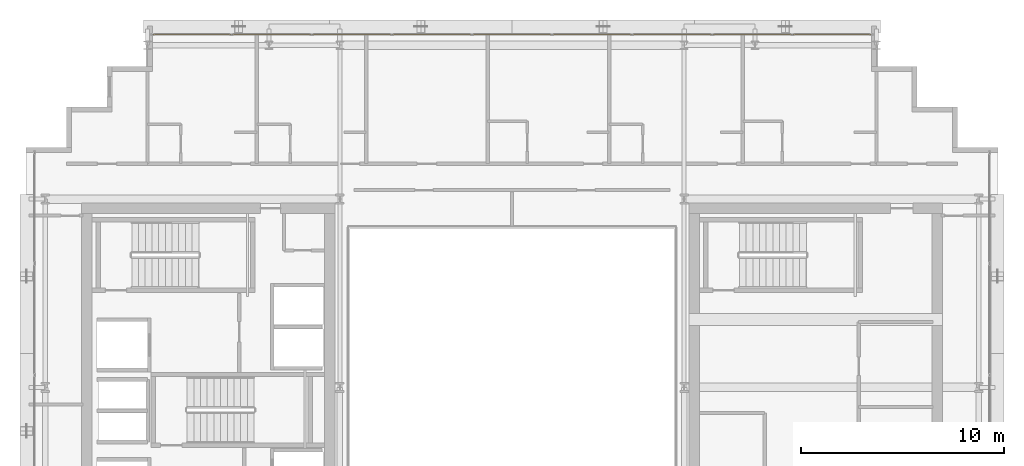
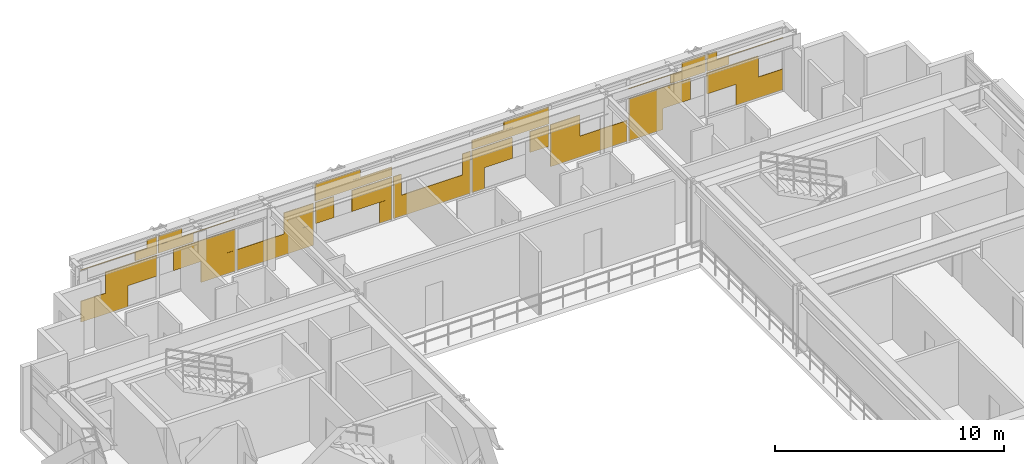
# One storey, part 31 of 31: 1 covering.
"""IFC4 building model written with IfcOpenShell, lengths in metres."""

import ifcopenshell
import ifcopenshell.guid

model = None  # the IFC model being written
_history = None  # IfcOwnerHistory: only IFC2X3 demands one
_inside = {}  # id of a spatial element -> (the spatial element, [elements in it])
_under = {}  # id of a project, library or spatial element -> (it, [spatial elements below it])
_declared = {}  # id of a project -> (the project, [libraries it declares])
_typed = {}  # id of a type object -> (the type object, [elements of that type])
_made_of = {}  # id of a material, layer set ... -> (it, [elements and type objects made of it])


def new_model(schema):
    """Start an empty IFC model of exactly this schema.

    Asked for "IFC4X3", IfcOpenShell would pick the latest addendum, in which some entities
    have other attributes; the version numbers below select the first issue.
    IFC2X3 requires an IfcOwnerHistory on every rooted entity: one is made here for all.
    """
    global model, _history
    if schema == "IFC4X3":
        model = ifcopenshell.file(schema_version=(4, 3, 0, 0))
    else:
        model = ifcopenshell.file(schema=schema)
    _inside.clear()
    _under.clear()
    _declared.clear()
    _typed.clear()
    _made_of.clear()
    _history = None
    if model.schema == "IFC2X3":
        org = make("IfcOrganization", Name="unknown")
        user = make(
            "IfcPersonAndOrganization",
            ThePerson=make("IfcPerson", FamilyName="unknown"),
            TheOrganization=org,
        )
        app = make(
            "IfcApplication",
            ApplicationDeveloper=org,
            Version="unknown",
            ApplicationFullName="unknown",
            ApplicationIdentifier="unknown",
        )
        _history = make(
            "IfcOwnerHistory",
            OwningUser=user,
            OwningApplication=app,
            ChangeAction="ADDED",
            CreationDate=0,
        )
    return model


def make(cls, **values):
    """One entity of the class cls with the attributes given. An attribute that is None is left unset."""
    return model.create_entity(
        cls, **{name: value for name, value in values.items() if value is not None}
    )


def rooted(cls, **values):
    """An entity with a GlobalId (a new one), such as an element, a storey or a relation."""
    return make(cls, GlobalId=ifcopenshell.guid.new(), OwnerHistory=_history, **values)


def si_unit(unit_type, name, prefix=None):
    """IfcSIUnit, for example si_unit("LENGTHUNIT", "METRE", prefix="MILLI")."""
    return make("IfcSIUnit", UnitType=unit_type, Prefix=prefix, Name=name)


def assignment(units):
    """IfcUnitAssignment: the units of a project."""
    return None if units is None else make("IfcUnitAssignment", Units=units)


def point(xyz):
    """IfcCartesianPoint."""
    return None if xyz is None else make("IfcCartesianPoint", Coordinates=xyz)


def direction(xyz):
    """IfcDirection."""
    return None if xyz is None else make("IfcDirection", DirectionRatios=xyz)


def frame(location, z_axis=None, x_axis=None):
    """IfcAxis2Placement3D, a coordinate frame: its origin and axes. An axis left out is left unset."""
    return make(
        "IfcAxis2Placement3D",
        Location=point(location),
        Axis=direction(z_axis),
        RefDirection=direction(x_axis),
    )


def frame_2d(location, x_axis=None):
    """IfcAxis2Placement2D, a coordinate frame in the plane: its origin and x axis."""
    return make(
        "IfcAxis2Placement2D", Location=point(location), RefDirection=direction(x_axis)
    )


def origin():
    """The frame at (0, 0, 0) with its axes left unset."""
    return frame((0.0, 0.0, 0.0))


def origin_2d():
    """The frame at (0, 0) in the plane with its x axis left unset."""
    return frame_2d((0.0, 0.0))


def place(relative_to, where):
    """IfcLocalPlacement: puts the frame where relative to a parent placement (None: the world)."""
    return make(
        "IfcLocalPlacement", PlacementRelTo=relative_to, RelativePlacement=where
    )


def context(
    kind, dimensions, precision=None, world=None, true_north=None, identifier=None
):
    """IfcGeometricRepresentationContext, for example the 3D "Model" context."""
    return make(
        "IfcGeometricRepresentationContext",
        ContextIdentifier=identifier,
        ContextType=kind,
        CoordinateSpaceDimension=dimensions,
        Precision=precision,
        WorldCoordinateSystem=world,
        TrueNorth=true_north,
    )


def subcontext(parent, identifier, kind, view, scale=None):
    """IfcGeometricRepresentationSubContext, for example "Body" below "Model"."""
    return make(
        "IfcGeometricRepresentationSubContext",
        ContextIdentifier=identifier,
        ContextType=kind,
        ParentContext=parent,
        TargetScale=scale,
        TargetView=view,
    )


def project(units=None, contexts=None):
    """IfcProject with its units and contexts."""
    return rooted(
        "IfcProject",
        Name="project",
        RepresentationContexts=contexts,
        UnitsInContext=assignment(units),
    )


def spatial(cls, under=None, at=None, **own):
    """A site, building, storey or space (cls), placed at a placement, below another one or the project."""
    s = rooted(cls, ObjectPlacement=at, **own)
    if under is not None:
        _under.setdefault(under.id(), (under, []))[1].append(s)
    return s


def profile(cls, at=None, kind="AREA", **sizes):
    """A parametric profile (cls). Its sizes go by their IFC names, for example OverallWidth=200.0."""
    return make(cls, ProfileType=kind, Position=at, **sizes)


def rectangle(**sizes):
    """IfcRectangleProfileDef."""
    return profile("IfcRectangleProfileDef", **sizes)


def extrude(swept, where, along, depth):
    """IfcExtrudedAreaSolid: the profile swept, set in the frame where, extruded along a direction by depth."""
    return make(
        "IfcExtrudedAreaSolid",
        SweptArea=swept,
        Position=where,
        ExtrudedDirection=direction(along),
        Depth=depth,
    )


def shape(context_of_items, identifier, shape_type, items):
    """IfcShapeRepresentation: the items that make up one representation, for example the "Body"."""
    return make(
        "IfcShapeRepresentation",
        ContextOfItems=context_of_items,
        RepresentationIdentifier=identifier,
        RepresentationType=shape_type,
        Items=items,
    )


def material(Name=None, Category=None):
    """IfcMaterial."""
    return make("IfcMaterial", Name=Name, Category=Category)


def layer(
    of_material, thickness, ventilated=None, Name=None, Category=None, Priority=None
):
    """IfcMaterialLayer: one layer of a wall or slab, of a material (None: an air gap)."""
    return make(
        "IfcMaterialLayer",
        Material=of_material,
        LayerThickness=thickness,
        IsVentilated=ventilated,
        Name=Name,
        Category=Category,
        Priority=Priority,
    )


def layer_set(layers, Name=None):
    """IfcMaterialLayerSet."""
    return make("IfcMaterialLayerSet", MaterialLayers=layers, LayerSetName=Name)


def made_of(thing, what):
    """Note that an element or type object is made of a material, layer set ...; save() writes the relation."""
    if what is not None:
        _made_of.setdefault(what.id(), (what, []))[1].append(thing)
    return thing


def type_object(cls, material=None, **own):
    """A type object (cls), such as IfcWallType, which elements share."""
    return made_of(rooted(cls, **own), material)


def element(
    cls,
    number,
    at=None,
    inside=None,
    cuts=None,
    type_object=None,
    material=None,
    context=None,
    identifier="Body",
    shape_type=None,
    held_by="IfcProductDefinitionShape",
    body=None,
    shapes=None,
    **own,
):
    """One element of the class cls, such as IfcWall. Its Tag is "e" and its number.

    at: its placement. inside: the storey or other place that contains it. cuts: it is an
    opening in that element (IfcRelVoidsElement). A single representation is given by context,
    identifier, shape_type and body (its items); several are given by shapes. held_by: the class
    of the entity that holds the representations. save() writes the other relations.
    """
    e = rooted(cls, Tag="e%d" % number, ObjectPlacement=at, **own)
    if body is not None:
        shapes = [shape(context, identifier, shape_type, body)]
    if shapes is not None:
        e.Representation = make(held_by, Representations=shapes)
    if inside is not None:
        _inside.setdefault(inside.id(), (inside, []))[1].append(e)
    if cuts is not None:
        rooted(
            "IfcRelVoidsElement", RelatingBuildingElement=cuts, RelatedOpeningElement=e
        )
    if type_object is not None:
        _typed.setdefault(type_object.id(), (type_object, []))[1].append(e)
    return made_of(e, material)


def aggregate(whole, parts):
    """IfcRelAggregates: a whole, such as a stair, and the parts it consists of."""
    return rooted("IfcRelAggregates", RelatingObject=whole, RelatedObjects=parts)


def save(model, path):
    """Write the relations noted so far, then the file.

    IfcRelAggregates (storeys below a building ...), IfcRelContainedInSpatialStructure (elements
    in a storey), IfcRelDefinesByType, IfcRelAssociatesMaterial and IfcRelDeclares: one each for
    every whole, place, type object, material and project.
    """
    for whole, parts in _under.values():
        aggregate(whole, parts)
    for where, things in _inside.values():
        rooted(
            "IfcRelContainedInSpatialStructure",
            RelatedElements=things,
            RelatingStructure=where,
        )
    for kind, things in _typed.values():
        rooted("IfcRelDefinesByType", RelatedObjects=things, RelatingType=kind)
    for what, things in _made_of.values():
        rooted("IfcRelAssociatesMaterial", RelatedObjects=things, RelatingMaterial=what)
    for by, libraries in _declared.values():
        rooted("IfcRelDeclares", RelatingContext=by, RelatedDefinitions=libraries)
    model.write(path)


model = new_model("IFC4")

# Units and contexts
model_context = context("Model", 3, precision=1e-05, world=origin(), true_north=direction((0.0, 1.0)))
body_context = subcontext(model_context, "Body", "Model", "MODEL_VIEW")
ifc_project = project(units=[si_unit("LENGTHUNIT", "METRE"), si_unit("AREAUNIT", "SQUARE_METRE"), si_unit("VOLUMEUNIT", "CUBIC_METRE"), si_unit("PLANEANGLEUNIT", "RADIAN"), si_unit("MASSUNIT", "GRAM", prefix="KILO")], contexts=[model_context])

# Site, building, storey
site_placement = place(None, origin())
site = spatial("IfcSite", under=ifc_project, at=site_placement, CompositionType="ELEMENT")
building_placement = place(site_placement, origin())
building = spatial("IfcBuilding", under=site, at=building_placement, Name="Ocotamira Hotel", CompositionType="ELEMENT")
storey_placement = place(building_placement, frame((0.0, 0.0, 210.0)))
storey = spatial("IfcBuildingStorey", under=building, at=storey_placement, Name="L53", CompositionType="ELEMENT", Elevation=210.0)

# Covering
ifc_material = material(Name="Insulated pale-metal aluminium spandrel panel", Category="aluminium")
ifc_layer = layer(ifc_material, 0.044921875)
ifc_layer_set = layer_set([ifc_layer], Name="Insulated pale-metal aluminium spandrel panel")
covering_type = type_object("IfcCoveringType", Name="COV-INFILL-45", PredefinedType="CLADDING", material=ifc_layer_set)
covering_placement = place(storey_placement, origin())
element("IfcCovering", 1, at=covering_placement, inside=storey, type_object=covering_type, Name="L53 Curtain Wall Infill CW-4 CW-L53-N", PredefinedType="CLADDING", context=body_context, shape_type="SweptSolid", body=[
    extrude(rectangle(XDim=2.37158203125, YDim=0.044921875, at=origin_2d()), frame((15.46630859375, 45.580078125, 0.07568359375), z_axis=(0.0, 0.0, 1.0), x_axis=(1.0, 0.0, 0.0)), (0.0, 0.0, 1.0), 1.117919921875),
    extrude(rectangle(XDim=2.58251953125, YDim=0.044921875, at=origin_2d()), frame((16.82373046875, 45.580078125, 1.1943359375), z_axis=(0.0, 0.0, 1.0), x_axis=(1.0, 0.0, 0.0)), (0.0, 0.0, 1.0), 1.117919921875),
    extrude(rectangle(XDim=3.834716796875, YDim=0.044921875, at=origin_2d()), frame((16.19775390625, 45.580078125, 2.83154296875), z_axis=(0.0, 0.0, 1.0), x_axis=(1.0, 0.0, 0.0)), (0.0, 0.0, 1.0), 0.0302734375),
    extrude(rectangle(XDim=1.090576171875, YDim=0.044921875, at=origin_2d()), frame((17.56982421875, 45.580078125, 2.38818359375), z_axis=(0.0, 0.0, 1.0), x_axis=(1.0, 0.0, 0.0)), (0.0, 0.0, 1.0), 0.442626953125),
    extrude(rectangle(XDim=0.496826171875, YDim=0.044921875, at=origin_2d()), frame((17.86669921875, 45.580078125, 2.86279296875), z_axis=(0.0, 0.0, 1.0), x_axis=(1.0, 0.0, 0.0)), (0.0, 0.0, 1.0), 0.431640625),
    extrude(rectangle(XDim=3.12109375, YDim=0.044921875, at=origin_2d()), frame((20.510009765625, 45.580078125, 1.1943359375), z_axis=(0.0, 0.0, 1.0), x_axis=(1.0, 0.0, 0.0)), (0.0, 0.0, 1.0), 1.117919921875),
    extrude(rectangle(XDim=1.72265625, YDim=0.044921875, at=origin_2d()), frame((21.209228515625, 45.580078125, 0.07568359375), z_axis=(0.0, 0.0, 1.0), x_axis=(1.0, 0.0, 0.0)), (0.0, 0.0, 1.0), 1.117919921875),
    extrude(rectangle(XDim=1.779296875, YDim=0.044921875, at=origin_2d()), frame((19.085693359375, 45.580078125, 2.38818359375), z_axis=(0.0, 0.0, 1.0), x_axis=(1.0, 0.0, 0.0)), (0.0, 0.0, 1.0), 0.442626953125),
    extrude(rectangle(XDim=3.87451171875, YDim=0.044921875, at=origin_2d()), frame((20.13330078125, 45.580078125, 2.83154296875), z_axis=(0.0, 0.0, 1.0), x_axis=(1.0, 0.0, 0.0)), (0.0, 0.0, 1.0), 0.0302734375),
    extrude(rectangle(XDim=1.185791015625, YDim=0.044921875, at=origin_2d()), frame((18.7890625, 45.580078125, 2.86279296875), z_axis=(0.0, 0.0, 1.0), x_axis=(1.0, 0.0, 0.0)), (0.0, 0.0, 1.0), 0.431640625),
    extrude(rectangle(XDim=3.87451171875, YDim=0.044921875, at=origin_2d()), frame((24.0888671875, 45.580078125, 0.07568359375), z_axis=(0.0, 0.0, 1.0), x_axis=(1.0, 0.0, 0.0)), (0.0, 0.0, 1.0), 1.117919921875),
    extrude(rectangle(XDim=1.493896484375, YDim=0.044921875, at=origin_2d()), frame((25.279296875, 45.580078125, 1.1943359375), z_axis=(0.0, 0.0, 1.0), x_axis=(1.0, 0.0, 0.0)), (0.0, 0.0, 1.0), 1.117919921875),
    extrude(rectangle(XDim=0.943115234375, YDim=0.044921875, at=origin_2d()), frame((26.578857421875, 45.580078125, 1.1943359375), z_axis=(0.0, 0.0, 1.0), x_axis=(1.0, 0.0, 0.0)), (0.0, 0.0, 1.0), 1.117919921875),
    extrude(rectangle(XDim=2.031982421875, YDim=0.044921875, at=origin_2d()), frame((28.9658203125, 45.580078125, 1.1943359375), z_axis=(0.0, 0.0, 1.0), x_axis=(1.0, 0.0, 0.0)), (0.0, 0.0, 1.0), 1.117919921875),
    extrude(rectangle(XDim=0.6337890625, YDim=0.044921875, at=origin_2d()), frame((29.664794921875, 45.580078125, 0.07568359375), z_axis=(0.0, 0.0, 1.0), x_axis=(1.0, 0.0, 0.0)), (0.0, 0.0, 1.0), 1.117919921875),
    extrude(rectangle(XDim=3.87451171875, YDim=0.044921875, at=origin_2d()), frame((28.04443359375, 45.580078125, 2.38818359375), z_axis=(0.0, 0.0, 1.0), x_axis=(1.0, 0.0, 0.0)), (0.0, 0.0, 1.0), 0.473876953125),
    extrude(rectangle(XDim=2.274658203125, YDim=0.044921875, at=origin_2d()), frame((27.244384765625, 45.580078125, 2.86279296875), z_axis=(0.0, 0.0, 1.0), x_axis=(1.0, 0.0, 0.0)), (0.0, 0.0, 1.0), 0.431640625),
    extrude(rectangle(XDim=3.87451171875, YDim=0.044921875, at=origin_2d()), frame((32.0, 45.580078125, 0.07568359375), z_axis=(0.0, 0.0, 1.0), x_axis=(1.0, 0.0, 0.0)), (0.0, 0.0, 1.0), 1.117919921875),
    extrude(rectangle(XDim=0.40478515625, YDim=0.044921875, at=origin_2d()), frame((30.26513671875, 45.580078125, 1.1943359375), z_axis=(0.0, 0.0, 1.0), x_axis=(1.0, 0.0, 0.0)), (0.0, 0.0, 1.0), 1.117919921875),
    extrude(rectangle(XDim=0.40478515625, YDim=0.044921875, at=origin_2d()), frame((33.73486328125, 45.580078125, 1.1943359375), z_axis=(0.0, 0.0, 1.0), x_axis=(1.0, 0.0, 0.0)), (0.0, 0.0, 1.0), 1.117919921875),
    extrude(rectangle(XDim=0.6337890625, YDim=0.044921875, at=origin_2d()), frame((34.335205078125, 45.580078125, 0.07568359375), z_axis=(0.0, 0.0, 1.0), x_axis=(1.0, 0.0, 0.0)), (0.0, 0.0, 1.0), 1.117919921875),
    extrude(rectangle(XDim=2.031982421875, YDim=0.044921875, at=origin_2d()), frame((35.0341796875, 45.580078125, 1.1943359375), z_axis=(0.0, 0.0, 1.0), x_axis=(1.0, 0.0, 0.0)), (0.0, 0.0, 1.0), 1.117919921875),
    extrude(rectangle(XDim=0.943115234375, YDim=0.044921875, at=origin_2d()), frame((37.421142578125, 45.580078125, 1.1943359375), z_axis=(0.0, 0.0, 1.0), x_axis=(1.0, 0.0, 0.0)), (0.0, 0.0, 1.0), 1.117919921875),
    extrude(rectangle(XDim=3.87451171875, YDim=0.044921875, at=origin_2d()), frame((35.95556640625, 45.580078125, 2.38818359375), z_axis=(0.0, 0.0, 1.0), x_axis=(1.0, 0.0, 0.0)), (0.0, 0.0, 1.0), 0.473876953125),
    extrude(rectangle(XDim=2.274658203125, YDim=0.044921875, at=origin_2d()), frame((36.755615234375, 45.580078125, 2.86279296875), z_axis=(0.0, 0.0, 1.0), x_axis=(1.0, 0.0, 0.0)), (0.0, 0.0, 1.0), 0.431640625),
    extrude(rectangle(XDim=3.87451171875, YDim=0.044921875, at=origin_2d()), frame((39.9111328125, 45.580078125, 0.07568359375), z_axis=(0.0, 0.0, 1.0), x_axis=(1.0, 0.0, 0.0)), (0.0, 0.0, 1.0), 1.117919921875),
    extrude(rectangle(XDim=1.493896484375, YDim=0.044921875, at=origin_2d()), frame((38.720703125, 45.580078125, 1.1943359375), z_axis=(0.0, 0.0, 1.0), x_axis=(1.0, 0.0, 0.0)), (0.0, 0.0, 1.0), 1.117919921875),
    extrude(rectangle(XDim=1.72265625, YDim=0.044921875, at=origin_2d()), frame((42.790771484375, 45.580078125, 0.07568359375), z_axis=(0.0, 0.0, 1.0), x_axis=(1.0, 0.0, 0.0)), (0.0, 0.0, 1.0), 1.117919921875),
    extrude(rectangle(XDim=3.12109375, YDim=0.044921875, at=origin_2d()), frame((43.489990234375, 45.580078125, 1.1943359375), z_axis=(0.0, 0.0, 1.0), x_axis=(1.0, 0.0, 0.0)), (0.0, 0.0, 1.0), 1.117919921875),
    extrude(rectangle(XDim=3.87451171875, YDim=0.044921875, at=origin_2d()), frame((43.86669921875, 45.580078125, 2.83154296875), z_axis=(0.0, 0.0, 1.0), x_axis=(1.0, 0.0, 0.0)), (0.0, 0.0, 1.0), 0.0302734375),
    extrude(rectangle(XDim=1.779296875, YDim=0.044921875, at=origin_2d()), frame((44.914306640625, 45.580078125, 2.38818359375), z_axis=(0.0, 0.0, 1.0), x_axis=(1.0, 0.0, 0.0)), (0.0, 0.0, 1.0), 0.442626953125),
    extrude(rectangle(XDim=1.185791015625, YDim=0.044921875, at=origin_2d()), frame((45.2109375, 45.580078125, 2.86279296875), z_axis=(0.0, 0.0, 1.0), x_axis=(1.0, 0.0, 0.0)), (0.0, 0.0, 1.0), 0.431640625),
    extrude(rectangle(XDim=2.58251953125, YDim=0.044921875, at=origin_2d()), frame((47.17626953125, 45.580078125, 1.1943359375), z_axis=(0.0, 0.0, 1.0), x_axis=(1.0, 0.0, 0.0)), (0.0, 0.0, 1.0), 1.117919921875),
    extrude(rectangle(XDim=2.37158203125, YDim=0.044921875, at=origin_2d()), frame((48.53369140625, 45.580078125, 0.07568359375), z_axis=(0.0, 0.0, 1.0), x_axis=(1.0, 0.0, 0.0)), (0.0, 0.0, 1.0), 1.117919921875),
    extrude(rectangle(XDim=1.090576171875, YDim=0.044921875, at=origin_2d()), frame((46.43017578125, 45.580078125, 2.38818359375), z_axis=(0.0, 0.0, 1.0), x_axis=(1.0, 0.0, 0.0)), (0.0, 0.0, 1.0), 0.442626953125),
    extrude(rectangle(XDim=3.834716796875, YDim=0.044921875, at=origin_2d()), frame((47.80224609375, 45.580078125, 2.83154296875), z_axis=(0.0, 0.0, 1.0), x_axis=(1.0, 0.0, 0.0)), (0.0, 0.0, 1.0), 0.0302734375),
    extrude(rectangle(XDim=0.496826171875, YDim=0.044921875, at=origin_2d()), frame((46.13330078125, 45.580078125, 2.86279296875), z_axis=(0.0, 0.0, 1.0), x_axis=(1.0, 0.0, 0.0)), (0.0, 0.0, 1.0), 0.431640625),
])

save(model, "model.ifc")
